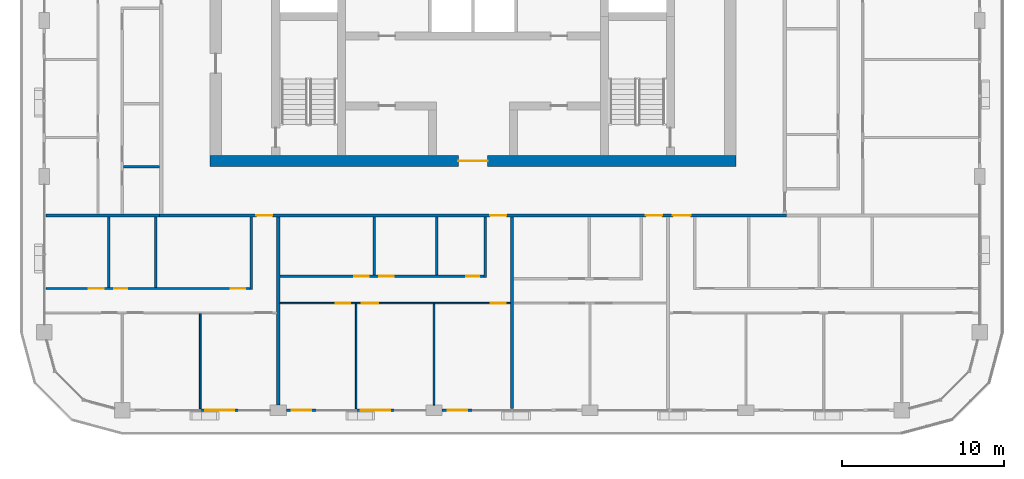
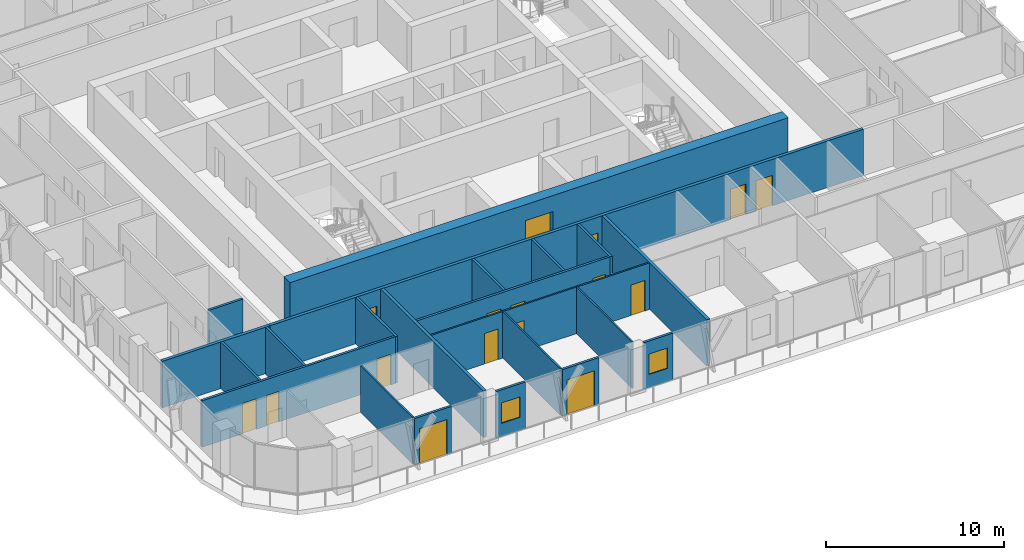
# One storey, part 9 of 21: 22 walls, 16 doors, 2 windows, 18 openings.
"""IFC4 building model written with IfcOpenShell, lengths in metres."""

from ifc_helpers import new_model, si_unit, direction, frame, frame_2d, origin, place, context, subcontext, project, spatial, rectangle, extrude, material, layer, layer_set, type_object, element, fill, save


model = new_model("IFC4")

# Units and contexts
model_context = context("Model", 3, precision=1e-05, world=origin(), true_north=direction((0.0, 1.0)))
body_context = subcontext(model_context, "Body", "Model", "MODEL_VIEW")
ifc_project = project(units=[si_unit("LENGTHUNIT", "METRE"), si_unit("AREAUNIT", "SQUARE_METRE"), si_unit("VOLUMEUNIT", "CUBIC_METRE"), si_unit("PLANEANGLEUNIT", "RADIAN"), si_unit("MASSUNIT", "GRAM", prefix="KILO")], contexts=[model_context])

# Site, building, storey
site_placement = place(None, origin())
site = spatial("IfcSite", under=ifc_project, at=site_placement, CompositionType="ELEMENT")
building_placement = place(site_placement, origin())
building = spatial("IfcBuilding", under=site, at=building_placement, Name="Madar Terraces", CompositionType="ELEMENT")
storey_placement = place(building_placement, frame((0.0, 0.0, 185.89990234375)))
storey = spatial("IfcBuildingStorey", under=building, at=storey_placement, Name="L48", CompositionType="ELEMENT", Elevation=185.89990234375)

# Wall, opening, door
ifc_material_1 = material(Name="Concrete C60/75", Category="concrete")
ifc_layer_1 = layer(ifc_material_1, 0.699951171875)
ifc_layer_set_1 = layer_set([ifc_layer_1], Name="Concrete C60/75 (CRW4 RC wall 700)")
wall_type_1 = type_object("IfcWallType", Name="CRW4 RC wall 700", PredefinedType="SHEAR", material=ifc_layer_set_1)
wall_1_placement = place(storey_placement, frame((15.0, 15.35009765625, 0.0), z_axis=(0.0, 0.0, 1.0), x_axis=(1.0, 0.0, 0.0)))
wall_1 = element("IfcWall", 1, at=wall_1_placement, inside=storey, type_object=wall_type_1, Name="CORE OUTER WALL", PredefinedType="SHEAR", context=body_context, shape_type="SweptSolid", body=[
    extrude(rectangle(XDim=32.39990234375, YDim=0.699951171875, at=frame_2d((16.199951171875, 0.0))), origin(), (0.0, 0.0, 1.0), 3.2001953125),
])
opening_1_placement = place(wall_1_placement, frame((15.300048828125, 0.0, 0.0)))
opening_1 = element("IfcOpeningElement", 2, at=opening_1_placement, cuts=wall_1, Name="Opening KD1", PredefinedType="OPENING", context=body_context, shape_type="SweptSolid", body=[
    extrude(rectangle(XDim=1.800048828125, YDim=2.10009765625, at=frame_2d((0.89990234375, 1.050048828125))), frame((0.0, 0.35986328125, 0.0), z_axis=(0.0, -1.0, 0.0), x_axis=(1.0, 0.0, 0.0)), (0.0, 0.0, 1.0), 0.719970703125),
])
ifc_material_2 = material(Name="Steel door leaf", Category="steel")
door_type_1 = type_object("IfcDoorType", Name="Lobby door pair 1800 x 2100", OperationType="DOUBLE_DOOR_SINGLE_SWING", PredefinedType="DOOR", material=ifc_material_2)
door_1_placement = place(opening_1_placement, frame((1.800048828125, 0.0, 0.0), z_axis=(0.0, 0.0, 1.0), x_axis=(-1.0, 0.0, 0.0)))
door_1 = element("IfcDoor", 3, at=door_1_placement, inside=storey, type_object=door_type_1, Name="LIFT LOBBY DOOR", OperationType="DOUBLE_DOOR_SINGLE_SWING", OverallHeight=2.10009765625, OverallWidth=1.800048828125, PredefinedType="DOOR", context=body_context, shape_type="SweptSolid", body=[
    extrude(rectangle(XDim=1.800048828125, YDim=2.10009765625, at=frame_2d((0.89990234375, 1.050048828125))), frame((0.0, 0.02490234375, 0.0), z_axis=(0.0, -1.0, 0.0), x_axis=(1.0, 0.0, 0.0)), (0.0, 0.0, 1.0), 0.050048828125),
])
fill(opening_1, door_1)

ifc_material_3 = material(Name="Aluminium composite panel, black, over insulated backing", Category="aluminium")
ifc_layer_2 = layer(ifc_material_3, 0.14990234375)
ifc_layer_set_2 = layer_set([ifc_layer_2], Name="Facade bay panel 150")
wall_type_2 = type_object("IfcWallType", Name="Facade bay panel 150", PredefinedType="SOLIDWALL", material=ifc_layer_set_2)
wall_2_placement = place(storey_placement, frame((14.39990234375, 0.0, 0.0), z_axis=(0.0, 0.0, 1.0), x_axis=(1.0, 0.0, 0.0)))
wall_2 = element("IfcWall", 4, at=wall_2_placement, inside=storey, type_object=wall_type_2, Name="Facade bay panel", PredefinedType="SOLIDWALL", context=body_context, shape_type="SweptSolid", body=[
    extrude(rectangle(XDim=2.400146484375, YDim=0.14990234375, at=frame_2d((1.2001953125, 0.0))), origin(), (0.0, 0.0, 1.0), 3.2001953125),
])
opening_2_placement = place(wall_2_placement, frame((0.300048828125, 0.0, 0.0)))
opening_2 = element("IfcOpeningElement", 5, at=opening_2_placement, cuts=wall_2, Name="Opening ED1", PredefinedType="OPENING", context=body_context, shape_type="SweptSolid", body=[
    extrude(rectangle(XDim=1.800048828125, YDim=2.39990234375, at=frame_2d((0.89990234375, 1.199951171875))), frame((0.0, 0.0849609375, 0.0), z_axis=(0.0, -1.0, 0.0), x_axis=(1.0, 0.0, 0.0)), (0.0, 0.0, 1.0), 0.169921875),
])
ifc_material_4 = material(Name="Glass, clear, with black aluminium frame", Category="aluminium")
door_type_2 = type_object("IfcDoorType", Name="Balcony and terrace sliding door 1800 x 2400", OperationType="SLIDING_TO_LEFT", PredefinedType="DOOR", material=ifc_material_4)
door_2_placement = place(opening_2_placement, origin())
door_2 = element("IfcDoor", 6, at=door_2_placement, inside=storey, type_object=door_type_2, Name="Balcony door", OperationType="SLIDING_TO_LEFT", OverallHeight=2.39990234375, OverallWidth=1.800048828125, PredefinedType="DOOR", context=body_context, shape_type="SweptSolid", body=[
    extrude(rectangle(XDim=1.800048828125, YDim=2.39990234375, at=frame_2d((0.89990234375, 1.199951171875))), frame((0.0, 0.02490234375, 0.0), z_axis=(0.0, -1.0, 0.0), x_axis=(1.0, 0.0, 0.0)), (0.0, 0.0, 1.0), 0.050048828125),
])
fill(opening_2, door_2)

# Wall, opening, window
wall_3_placement = place(storey_placement, frame((19.699951171875, 0.0, 0.0), z_axis=(0.0, 0.0, 1.0), x_axis=(1.0, 0.0, 0.0)))
wall_3 = element("IfcWall", 7, at=wall_3_placement, inside=storey, type_object=wall_type_2, Name="Facade bay panel", PredefinedType="SOLIDWALL", context=body_context, shape_type="SweptSolid", body=[
    extrude(rectangle(XDim=1.900146484375, YDim=0.14990234375, at=frame_2d((0.9501953125, 0.0))), origin(), (0.0, 0.0, 1.0), 3.2001953125),
])
opening_3_placement = place(wall_3_placement, frame((0.35009765625, 0.0, 0.89990234375)))
opening_3 = element("IfcOpeningElement", 8, at=opening_3_placement, cuts=wall_3, Name="Opening W1", PredefinedType="OPENING", context=body_context, shape_type="SweptSolid", body=[
    extrude(rectangle(XDim=1.199951171875, YDim=1.39990234375, at=frame_2d((0.60009765625, 0.699951171875))), frame((0.0, 0.0849609375, 0.0), z_axis=(0.0, -1.0, 0.0), x_axis=(1.0, 0.0, 0.0)), (0.0, 0.0, 1.0), 0.169921875),
])
ifc_material_5 = material(Name="Glass, clear, with black aluminium frame", Category="aluminium")
window_type = type_object("IfcWindowType", Name="Vent window 1200 x 1400", PartitioningType="SINGLE_PANEL", PredefinedType="WINDOW", material=ifc_material_5)
window_1_placement = place(opening_3_placement, origin())
window_1 = element("IfcWindow", 9, at=window_1_placement, inside=storey, type_object=window_type, Name="Operable vent window", OverallHeight=1.39990234375, OverallWidth=1.199951171875, PartitioningType="SINGLE_PANEL", PredefinedType="WINDOW", context=body_context, shape_type="SweptSolid", body=[
    extrude(rectangle(XDim=1.199951171875, YDim=1.39990234375, at=frame_2d((0.60009765625, 0.699951171875))), frame((0.0, 0.030029296875, 0.0), z_axis=(0.0, -1.0, 0.0), x_axis=(1.0, 0.0, 0.0)), (0.0, 0.0, 1.0), 0.06005859375),
])
fill(opening_3, window_1)

# Wall, opening, door
wall_4_placement = place(storey_placement, frame((24.0, 0.0, 0.0), z_axis=(0.0, 0.0, 1.0), x_axis=(1.0, 0.0, 0.0)))
wall_4 = element("IfcWall", 10, at=wall_4_placement, inside=storey, type_object=wall_type_2, Name="Facade bay panel", PredefinedType="SOLIDWALL", context=body_context, shape_type="SweptSolid", body=[
    extrude(rectangle(XDim=2.39990234375, YDim=0.14990234375, at=frame_2d((1.199951171875, 0.0))), origin(), (0.0, 0.0, 1.0), 3.2001953125),
])
opening_4_placement = place(wall_4_placement, frame((0.300048828125, 0.0, 0.0)))
opening_4 = element("IfcOpeningElement", 11, at=opening_4_placement, cuts=wall_4, Name="Opening ED1", PredefinedType="OPENING", context=body_context, shape_type="SweptSolid", body=[
    extrude(rectangle(XDim=1.800048828125, YDim=2.39990234375, at=frame_2d((0.89990234375, 1.199951171875))), frame((0.0, 0.0849609375, 0.0), z_axis=(0.0, -1.0, 0.0), x_axis=(1.0, 0.0, 0.0)), (0.0, 0.0, 1.0), 0.169921875),
])
door_3_placement = place(opening_4_placement, origin())
door_3 = element("IfcDoor", 12, at=door_3_placement, inside=storey, type_object=door_type_2, Name="Balcony door", OperationType="SLIDING_TO_RIGHT", OverallHeight=2.39990234375, OverallWidth=1.800048828125, PredefinedType="DOOR", context=body_context, shape_type="SweptSolid", body=[
    extrude(rectangle(XDim=1.800048828125, YDim=2.39990234375, at=frame_2d((0.89990234375, 1.199951171875))), frame((0.0, 0.02490234375, 0.0), z_axis=(0.0, -1.0, 0.0), x_axis=(1.0, 0.0, 0.0)), (0.0, 0.0, 1.0), 0.050048828125),
])
fill(opening_4, door_3)

# Wall, opening, window
wall_5_placement = place(storey_placement, frame((29.300048828125, 0.0, 0.0), z_axis=(0.0, 0.0, 1.0), x_axis=(1.0, 0.0, 0.0)))
wall_5 = element("IfcWall", 13, at=wall_5_placement, inside=storey, type_object=wall_type_2, Name="Facade bay panel", PredefinedType="SOLIDWALL", context=body_context, shape_type="SweptSolid", body=[
    extrude(rectangle(XDim=1.89990234375, YDim=0.14990234375, at=frame_2d((0.949951171875, 0.0))), origin(), (0.0, 0.0, 1.0), 3.2001953125),
])
opening_5_placement = place(wall_5_placement, frame((0.35009765625, 0.0, 0.89990234375)))
opening_5 = element("IfcOpeningElement", 14, at=opening_5_placement, cuts=wall_5, Name="Opening W1", PredefinedType="OPENING", context=body_context, shape_type="SweptSolid", body=[
    extrude(rectangle(XDim=1.199951171875, YDim=1.39990234375, at=frame_2d((0.60009765625, 0.699951171875))), frame((0.0, 0.0849609375, 0.0), z_axis=(0.0, -1.0, 0.0), x_axis=(1.0, 0.0, 0.0)), (0.0, 0.0, 1.0), 0.169921875),
])
window_2_placement = place(opening_5_placement, origin())
window_2 = element("IfcWindow", 15, at=window_2_placement, inside=storey, type_object=window_type, Name="Operable vent window", OverallHeight=1.39990234375, OverallWidth=1.199951171875, PartitioningType="SINGLE_PANEL", PredefinedType="WINDOW", context=body_context, shape_type="SweptSolid", body=[
    extrude(rectangle(XDim=1.199951171875, YDim=1.39990234375, at=frame_2d((0.60009765625, 0.699951171875))), frame((0.0, 0.030029296875, 0.0), z_axis=(0.0, -1.0, 0.0), x_axis=(1.0, 0.0, 0.0)), (0.0, 0.0, 1.0), 0.06005859375),
])
fill(opening_5, window_2)

# Walls
ifc_material_6 = material(Name="Gypsum board on steel studs", Category="steel")
ifc_layer_3 = layer(ifc_material_6, 0.10009765625)
ifc_layer_set_3 = layer_set([ifc_layer_3], Name="Flat partition 100")
wall_type_3 = type_object("IfcWallType", Name="Flat partition 100", PredefinedType="PARTITIONING", material=ifc_layer_set_3)
wall_6_placement = place(storey_placement, frame((14.39990234375, 5.949951171875, 0.0), z_axis=(0.0, 0.0, 1.0), x_axis=(0.0, -1.0, 0.0)))
element("IfcWall", 16, at=wall_6_placement, inside=storey, type_object=wall_type_3, Name="Flat partition 100", PredefinedType="PARTITIONING", context=body_context, shape_type="SweptSolid", body=[
    extrude(rectangle(XDim=5.849853515625, YDim=0.10009765625, at=frame_2d((2.9248046875, 0.0))), origin(), (0.0, 0.0, 1.0), 3.2001953125),
])
wall_7_placement = place(storey_placement, frame((28.800048828125, 6.550048828125, 0.0), z_axis=(0.0, 0.0, 1.0), x_axis=(0.0, -1.0, 0.0)))
element("IfcWall", 17, at=wall_7_placement, inside=storey, type_object=wall_type_3, Name="Flat partition 100", PredefinedType="PARTITIONING", context=body_context, shape_type="SweptSolid", body=[
    extrude(rectangle(XDim=6.22509765625, YDim=0.10009765625, at=frame_2d((3.112548828125, 0.0))), origin(), (0.0, 0.0, 1.0), 3.2001953125),
])
wall_8_placement = place(storey_placement, frame((24.0, 6.550048828125, 0.0), z_axis=(0.0, 0.0, 1.0), x_axis=(0.0, -1.0, 0.0)))
element("IfcWall", 18, at=wall_8_placement, inside=storey, type_object=wall_type_3, Name="Flat partition 100", PredefinedType="PARTITIONING", context=body_context, shape_type="SweptSolid", body=[
    extrude(rectangle(XDim=6.449951171875, YDim=0.10009765625, at=frame_2d((3.22509765625, 0.0))), origin(), (0.0, 0.0, 1.0), 3.2001953125),
])

# Wall, openings, doors
wall_9_placement = place(storey_placement, frame((33.5, 6.60009765625, 0.0), z_axis=(0.0, 0.0, 1.0), x_axis=(-1.0, 0.0, 0.0)))
wall_9 = element("IfcWall", 19, at=wall_9_placement, inside=storey, type_object=wall_type_3, Name="Flat partition 100", PredefinedType="PARTITIONING", context=body_context, shape_type="SweptSolid", body=[
    extrude(rectangle(XDim=14.199951171875, YDim=0.10009765625, at=frame_2d((7.10009765625, 0.0))), origin(), (0.0, 0.0, 1.0), 3.2001953125),
])
opening_6_placement = place(wall_9_placement, frame((0.300048828125, 0.0, 0.0)))
opening_6 = element("IfcOpeningElement", 20, at=opening_6_placement, cuts=wall_9, Name="Opening D2", PredefinedType="OPENING", context=body_context, shape_type="SweptSolid", body=[
    extrude(rectangle(XDim=0.89990234375, YDim=2.10009765625, at=frame_2d((0.449951171875, 1.050048828125))), frame((0.0, 0.06005859375, 0.0), z_axis=(0.0, -1.0, 0.0), x_axis=(1.0, 0.0, 0.0)), (0.0, 0.0, 1.0), 0.1201171875),
])
opening_7_placement = place(wall_9_placement, frame((8.14990234375, 0.0, 0.0)))
opening_7 = element("IfcOpeningElement", 21, at=opening_7_placement, cuts=wall_9, Name="Opening D3", PredefinedType="OPENING", context=body_context, shape_type="SweptSolid", body=[
    extrude(rectangle(XDim=1.0, YDim=2.10009765625, at=frame_2d((0.5, 1.050048828125))), frame((0.0, 0.06005859375, 0.0), z_axis=(0.0, -1.0, 0.0), x_axis=(1.0, 0.0, 0.0)), (0.0, 0.0, 1.0), 0.1201171875),
])
opening_8_placement = place(wall_9_placement, frame((9.85009765625, 0.0, 0.0)))
opening_8 = element("IfcOpeningElement", 22, at=opening_8_placement, cuts=wall_9, Name="Opening D2", PredefinedType="OPENING", context=body_context, shape_type="SweptSolid", body=[
    extrude(rectangle(XDim=0.89990234375, YDim=2.10009765625, at=frame_2d((0.449951171875, 1.050048828125))), frame((0.0, 0.06005859375, 0.0), z_axis=(0.0, -1.0, 0.0), x_axis=(1.0, 0.0, 0.0)), (0.0, 0.0, 1.0), 0.1201171875),
])
ifc_material_7 = material(Name="Timber door leaf", Category="wood")
door_type_3 = type_object("IfcDoorType", Name="Flat living room door 1000", OperationType="NOTDEFINED", PredefinedType="DOOR", material=ifc_material_7)
door_4_placement = place(opening_7_placement, origin())
door_4 = element("IfcDoor", 23, at=door_4_placement, inside=storey, type_object=door_type_3, Name="Flat living room door 1000", OperationType="SINGLE_SWING_RIGHT", OverallHeight=2.10009765625, OverallWidth=1.0, PredefinedType="DOOR", context=body_context, shape_type="SweptSolid", body=[
    extrude(rectangle(XDim=1.0, YDim=2.10009765625, at=frame_2d((0.5, 1.050048828125))), frame((0.0, 0.02490234375, 0.0), z_axis=(0.0, -1.0, 0.0), x_axis=(1.0, 0.0, 0.0)), (0.0, 0.0, 1.0), 0.050048828125),
])
fill(opening_7, door_4)
ifc_material_8 = material(Name="Timber door leaf", Category="wood")
door_type_4 = type_object("IfcDoorType", Name="Flat room door 900", OperationType="NOTDEFINED", PredefinedType="DOOR", material=ifc_material_8)
door_5_placement = place(opening_6_placement, origin())
door_5 = element("IfcDoor", 24, at=door_5_placement, inside=storey, type_object=door_type_4, Name="Flat room door 900", OperationType="SINGLE_SWING_LEFT", OverallHeight=2.10009765625, OverallWidth=0.89990234375, PredefinedType="DOOR", context=body_context, shape_type="SweptSolid", body=[
    extrude(rectangle(XDim=0.89990234375, YDim=2.10009765625, at=frame_2d((0.449951171875, 1.050048828125))), frame((0.0, 0.02490234375, 0.0), z_axis=(0.0, -1.0, 0.0), x_axis=(1.0, 0.0, 0.0)), (0.0, 0.0, 1.0), 0.050048828125),
])
fill(opening_6, door_5)
door_6_placement = place(opening_8_placement, origin())
door_6 = element("IfcDoor", 25, at=door_6_placement, inside=storey, type_object=door_type_4, Name="Flat room door 900", OperationType="SINGLE_SWING_LEFT", OverallHeight=2.10009765625, OverallWidth=0.89990234375, PredefinedType="DOOR", context=body_context, shape_type="SweptSolid", body=[
    extrude(rectangle(XDim=0.89990234375, YDim=2.10009765625, at=frame_2d((0.449951171875, 1.050048828125))), frame((0.0, 0.02490234375, 0.0), z_axis=(0.0, -1.0, 0.0), x_axis=(1.0, 0.0, 0.0)), (0.0, 0.0, 1.0), 0.050048828125),
])
fill(opening_8, door_6)

ifc_material_9 = material(Name="Lightweight blockwork", Category="masonry")
ifc_layer_4 = layer(ifc_material_9, 0.199951171875)
ifc_layer_set_4 = layer_set([ifc_layer_4], Name="Flat party and entrance wall 200")
wall_type_4 = type_object("IfcWallType", Name="Flat party and entrance wall 200", PredefinedType="PARTITIONING", material=ifc_layer_set_4)
wall_10_placement = place(storey_placement, frame((50.5, 12.0, 0.0), z_axis=(0.0, 0.0, 1.0), x_axis=(-1.0, 0.0, 0.0)))
wall_10 = element("IfcWall", 26, at=wall_10_placement, inside=storey, type_object=wall_type_4, Name="Flat party and entrance wall 200", PredefinedType="PARTITIONING", context=body_context, shape_type="SweptSolid", body=[
    extrude(rectangle(XDim=38.60009765625, YDim=0.199951171875, at=frame_2d((19.300048828125, 0.0))), origin(), (0.0, 0.0, 1.0), 3.2001953125),
])
opening_9_placement = place(wall_10_placement, frame((31.64990234375, 0.0, 0.0)))
opening_9 = element("IfcOpeningElement", 27, at=opening_9_placement, cuts=wall_10, Name="Opening D1", PredefinedType="OPENING", context=body_context, shape_type="SweptSolid", body=[
    extrude(rectangle(XDim=1.0, YDim=2.10009765625, at=frame_2d((0.5, 1.050048828125))), frame((0.0, 0.10986328125, 0.0), z_axis=(0.0, -1.0, 0.0), x_axis=(1.0, 0.0, 0.0)), (0.0, 0.0, 1.0), 0.219970703125),
])
opening_10_placement = place(wall_10_placement, frame((17.25, 0.0, 0.0)))
opening_10 = element("IfcOpeningElement", 28, at=opening_10_placement, cuts=wall_10, Name="Opening D1", PredefinedType="OPENING", context=body_context, shape_type="SweptSolid", body=[
    extrude(rectangle(XDim=1.0, YDim=2.10009765625, at=frame_2d((0.5, 1.050048828125))), frame((0.0, 0.10986328125, 0.0), z_axis=(0.0, -1.0, 0.0), x_axis=(1.0, 0.0, 0.0)), (0.0, 0.0, 1.0), 0.219970703125),
])
opening_11_placement = place(wall_10_placement, frame((7.64990234375, 0.0, 0.0)))
opening_11 = element("IfcOpeningElement", 29, at=opening_11_placement, cuts=wall_10, Name="Opening D1", PredefinedType="OPENING", context=body_context, shape_type="SweptSolid", body=[
    extrude(rectangle(XDim=1.0, YDim=2.10009765625, at=frame_2d((0.5, 1.050048828125))), frame((0.0, 0.10986328125, 0.0), z_axis=(0.0, -1.0, 0.0), x_axis=(1.0, 0.0, 0.0)), (0.0, 0.0, 1.0), 0.219970703125),
])
opening_12_placement = place(wall_10_placement, frame((5.89990234375, 0.0, 0.0)))
opening_12 = element("IfcOpeningElement", 30, at=opening_12_placement, cuts=wall_10, Name="Opening D6", PredefinedType="OPENING", context=body_context, shape_type="SweptSolid", body=[
    extrude(rectangle(XDim=1.10009765625, YDim=2.10009765625, at=frame_2d((0.550048828125, 1.050048828125))), frame((0.0, 0.10986328125, 0.0), z_axis=(0.0, -1.0, 0.0), x_axis=(1.0, 0.0, 0.0)), (0.0, 0.0, 1.0), 0.219970703125),
])
ifc_material_10 = material(Name="Timber fire door leaf", Category="wood")
door_type_5 = type_object("IfcDoorType", Name="Flat entrance door 1000 FD30S", OperationType="NOTDEFINED", PredefinedType="DOOR", material=ifc_material_10)
door_7_placement = place(opening_9_placement, origin())
door_7 = element("IfcDoor", 31, at=door_7_placement, inside=storey, type_object=door_type_5, Name="Flat entrance door 1000 FD30S", OperationType="SINGLE_SWING_LEFT", OverallHeight=2.10009765625, OverallWidth=1.0, PredefinedType="DOOR", context=body_context, shape_type="SweptSolid", body=[
    extrude(rectangle(XDim=1.0, YDim=2.10009765625, at=frame_2d((0.5, 1.050048828125))), frame((0.0, 0.02490234375, 0.0), z_axis=(0.0, -1.0, 0.0), x_axis=(1.0, 0.0, 0.0)), (0.0, 0.0, 1.0), 0.050048828125),
])
fill(opening_9, door_7)
door_8_placement = place(opening_10_placement, origin())
door_8 = element("IfcDoor", 32, at=door_8_placement, inside=storey, type_object=door_type_5, Name="Flat entrance door 1000 FD30S", OperationType="SINGLE_SWING_LEFT", OverallHeight=2.10009765625, OverallWidth=1.0, PredefinedType="DOOR", context=body_context, shape_type="SweptSolid", body=[
    extrude(rectangle(XDim=1.0, YDim=2.10009765625, at=frame_2d((0.5, 1.050048828125))), frame((0.0, 0.02490234375, 0.0), z_axis=(0.0, -1.0, 0.0), x_axis=(1.0, 0.0, 0.0)), (0.0, 0.0, 1.0), 0.050048828125),
])
fill(opening_10, door_8)
door_9_placement = place(opening_11_placement, origin())
door_9 = element("IfcDoor", 33, at=door_9_placement, inside=storey, type_object=door_type_5, Name="Flat entrance door 1000 FD30S", OperationType="SINGLE_SWING_LEFT", OverallHeight=2.10009765625, OverallWidth=1.0, PredefinedType="DOOR", context=body_context, shape_type="SweptSolid", body=[
    extrude(rectangle(XDim=1.0, YDim=2.10009765625, at=frame_2d((0.5, 1.050048828125))), frame((0.0, 0.02490234375, 0.0), z_axis=(0.0, -1.0, 0.0), x_axis=(1.0, 0.0, 0.0)), (0.0, 0.0, 1.0), 0.050048828125),
])
fill(opening_11, door_9)
ifc_material_11 = material(Name="Timber fire door leaf", Category="wood")
door_type_6 = type_object("IfcDoorType", Name="Flat entrance door 1100 FD30S", OperationType="NOTDEFINED", PredefinedType="DOOR", material=ifc_material_11)
door_10_placement = place(opening_12_placement, origin())
door_10 = element("IfcDoor", 34, at=door_10_placement, inside=storey, type_object=door_type_6, Name="Flat entrance door 1100 FD30S", OperationType="SINGLE_SWING_RIGHT", OverallHeight=2.10009765625, OverallWidth=1.10009765625, PredefinedType="DOOR", context=body_context, shape_type="SweptSolid", body=[
    extrude(rectangle(XDim=1.10009765625, YDim=2.10009765625, at=frame_2d((0.550048828125, 1.050048828125))), frame((0.0, 0.02490234375, 0.0), z_axis=(0.0, -1.0, 0.0), x_axis=(1.0, 0.0, 0.0)), (0.0, 0.0, 1.0), 0.050048828125),
])
fill(opening_12, door_10)

# Walls
wall_11_placement = place(storey_placement, frame((19.199951171875, 11.89990234375, 0.0), z_axis=(0.0, 0.0, 1.0), x_axis=(0.0, -1.0, 0.0)))
element("IfcWall", 35, at=wall_11_placement, inside=storey, type_object=wall_type_4, Name="Flat party and entrance wall 200", PredefinedType="PARTITIONING", context=body_context, shape_type="SweptSolid", body=[
    extrude(rectangle(XDim=11.574951171875, YDim=0.199951171875, at=frame_2d((5.78759765625, 0.0))), origin(), (0.0, 0.0, 1.0), 3.2001953125),
])
wall_12_placement = place(storey_placement, frame((4.89990234375, 12.0, 0.0), z_axis=(0.0, 0.0, 1.0), x_axis=(1.0, 0.0, 0.0)))
element("IfcWall", 36, at=wall_12_placement, inside=storey, type_object=wall_type_4, Name="Flat party and entrance wall 200", PredefinedType="PARTITIONING", context=body_context, shape_type="SweptSolid", body=[
    extrude(rectangle(XDim=7.0, YDim=0.199951171875, at=frame_2d((3.5, 0.0))), origin(), (0.0, 0.0, 1.0), 3.2001953125),
])
wall_13_placement = place(storey_placement, frame((33.60009765625, 11.89990234375, 0.0), z_axis=(0.0, 0.0, 1.0), x_axis=(0.0, -1.0, 0.0)))
element("IfcWall", 37, at=wall_13_placement, inside=storey, type_object=wall_type_4, Name="Flat party and entrance wall 200", PredefinedType="PARTITIONING", context=body_context, shape_type="SweptSolid", body=[
    extrude(rectangle(XDim=11.7998046875, YDim=0.199951171875, at=frame_2d((5.89990234375, 0.0))), origin(), (0.0, 0.0, 1.0), 3.2001953125),
])
ifc_material_12 = material(Name="Lightweight blockwork", Category="masonry")
ifc_layer_5 = layer(ifc_material_12, 0.14990234375)
ifc_layer_set_5 = layer_set([ifc_layer_5], Name="Flat wet-room partition 150")
wall_type_5 = type_object("IfcWallType", Name="Flat wet-room partition 150", PredefinedType="PARTITIONING", material=ifc_layer_set_5)
for number, where, z_axis, x_axis, name in (
    (38, (11.671142578125, 11.89990234375, 0.0), (0.0, 0.0, 1.0), (0.0, -1.0, 0.0), "Flat wet-room partition 150"),
    (39, (8.769287109375, 11.89990234375, 0.0), (0.0, 0.0, 1.0), (0.0, -1.0, 0.0), "Flat wet-room partition 150"),
):
    element("IfcWall", number, at=place(storey_placement, frame(where, z_axis=z_axis, x_axis=x_axis)), inside=storey, type_object=wall_type_5, Name=name, PredefinedType="PARTITIONING", context=body_context, shape_type="SweptSolid", body=[
        extrude(rectangle(XDim=4.324951171875, YDim=0.14990234375, at=frame_2d((2.16259765625, 0.0))), origin(), (0.0, 0.0, 1.0), 3.2001953125),
    ])
wall_14_placement = place(storey_placement, frame((17.550048828125, 11.89990234375, 0.0), z_axis=(0.0, 0.0, 1.0), x_axis=(0.0, -1.0, 0.0)))
element("IfcWall", 40, at=wall_14_placement, inside=storey, type_object=wall_type_5, Name="Flat wet-room partition 150", PredefinedType="PARTITIONING", context=body_context, shape_type="SweptSolid", body=[
    extrude(rectangle(XDim=4.474853515625, YDim=0.14990234375, at=frame_2d((2.2373046875, 0.0))), origin(), (0.0, 0.0, 1.0), 3.2001953125),
])

# Wall, openings, doors
wall_15_placement = place(storey_placement, frame((4.89990234375, 7.5, 0.0), z_axis=(0.0, 0.0, 1.0), x_axis=(1.0, 0.0, 0.0)))
wall_15 = element("IfcWall", 41, at=wall_15_placement, inside=storey, type_object=wall_type_5, Name="Flat wet-room partition 150", PredefinedType="PARTITIONING", context=body_context, shape_type="SweptSolid", body=[
    extrude(rectangle(XDim=12.5751953125, YDim=0.14990234375, at=frame_2d((6.28759765625, 0.0))), origin(), (0.0, 0.0, 1.0), 3.2001953125),
])
opening_13_placement = place(wall_15_placement, frame((11.375, 0.0, 0.0)))
opening_13 = element("IfcOpeningElement", 42, at=opening_13_placement, cuts=wall_15, Name="Opening D2", PredefinedType="OPENING", context=body_context, shape_type="SweptSolid", body=[
    extrude(rectangle(XDim=0.89990234375, YDim=2.10009765625, at=frame_2d((0.449951171875, 1.050048828125))), frame((0.0, 0.0849609375, 0.0), z_axis=(0.0, -1.0, 0.0), x_axis=(1.0, 0.0, 0.0)), (0.0, 0.0, 1.0), 0.169921875),
])
opening_14_placement = place(wall_15_placement, frame((4.1943359375, 0.0, 0.0)))
opening_14 = element("IfcOpeningElement", 43, at=opening_14_placement, cuts=wall_15, Name="Opening D4", PredefinedType="OPENING", context=body_context, shape_type="SweptSolid", body=[
    extrude(rectangle(XDim=0.800048828125, YDim=2.10009765625, at=frame_2d((0.39990234375, 1.050048828125))), frame((0.0, 0.0849609375, 0.0), z_axis=(0.0, -1.0, 0.0), x_axis=(1.0, 0.0, 0.0)), (0.0, 0.0, 1.0), 0.169921875),
])
opening_15_placement = place(wall_15_placement, frame((2.644287109375, 0.0, 0.0)))
opening_15 = element("IfcOpeningElement", 44, at=opening_15_placement, cuts=wall_15, Name="Opening D5", PredefinedType="OPENING", context=body_context, shape_type="SweptSolid", body=[
    extrude(rectangle(XDim=0.89990234375, YDim=2.10009765625, at=frame_2d((0.449951171875, 1.050048828125))), frame((0.0, 0.0849609375, 0.0), z_axis=(0.0, -1.0, 0.0), x_axis=(1.0, 0.0, 0.0)), (0.0, 0.0, 1.0), 0.169921875),
])
ifc_material_13 = material(Name="Timber door leaf", Category="wood")
door_type_7 = type_object("IfcDoorType", Name="Flat accessible bathroom door 900", OperationType="NOTDEFINED", PredefinedType="DOOR", material=ifc_material_13)
door_11_placement = place(opening_15_placement, origin())
door_11 = element("IfcDoor", 45, at=door_11_placement, inside=storey, type_object=door_type_7, Name="Flat accessible bathroom door 900", OperationType="SINGLE_SWING_RIGHT", OverallHeight=2.10009765625, OverallWidth=0.89990234375, PredefinedType="DOOR", context=body_context, shape_type="SweptSolid", body=[
    extrude(rectangle(XDim=0.89990234375, YDim=2.10009765625, at=frame_2d((0.449951171875, 1.050048828125))), frame((0.0, 0.02490234375, 0.0), z_axis=(0.0, -1.0, 0.0), x_axis=(1.0, 0.0, 0.0)), (0.0, 0.0, 1.0), 0.050048828125),
])
fill(opening_15, door_11)
ifc_material_14 = material(Name="Timber door leaf", Category="wood")
door_type_8 = type_object("IfcDoorType", Name="Flat bathroom door 800", OperationType="NOTDEFINED", PredefinedType="DOOR", material=ifc_material_14)
door_12_placement = place(opening_14_placement, origin())
door_12 = element("IfcDoor", 46, at=door_12_placement, inside=storey, type_object=door_type_8, Name="Flat bathroom door 800", OperationType="SINGLE_SWING_LEFT", OverallHeight=2.10009765625, OverallWidth=0.800048828125, PredefinedType="DOOR", context=body_context, shape_type="SweptSolid", body=[
    extrude(rectangle(XDim=0.800048828125, YDim=2.10009765625, at=frame_2d((0.39990234375, 1.050048828125))), frame((0.0, 0.02490234375, 0.0), z_axis=(0.0, -1.0, 0.0), x_axis=(1.0, 0.0, 0.0)), (0.0, 0.0, 1.0), 0.050048828125),
])
fill(opening_14, door_12)
door_13_placement = place(opening_13_placement, origin())
door_13 = element("IfcDoor", 47, at=door_13_placement, inside=storey, type_object=door_type_4, Name="Flat room door 900", OperationType="SINGLE_SWING_RIGHT", OverallHeight=2.10009765625, OverallWidth=0.89990234375, PredefinedType="DOOR", context=body_context, shape_type="SweptSolid", body=[
    extrude(rectangle(XDim=0.89990234375, YDim=2.10009765625, at=frame_2d((0.449951171875, 1.050048828125))), frame((0.0, 0.02490234375, 0.0), z_axis=(0.0, -1.0, 0.0), x_axis=(1.0, 0.0, 0.0)), (0.0, 0.0, 1.0), 0.050048828125),
])
fill(opening_13, door_13)

# Walls
for number, where, z_axis, x_axis, name in (
    (48, (28.97314453125, 11.89990234375, 0.0), (0.0, 0.0, 1.0), (0.0, -1.0, 0.0), "Flat wet-room partition 150"),
    (49, (25.10400390625, 11.89990234375, 0.0), (0.0, 0.0, 1.0), (0.0, -1.0, 0.0), "Flat wet-room partition 150"),
):
    element("IfcWall", number, at=place(storey_placement, frame(where, z_axis=z_axis, x_axis=x_axis)), inside=storey, type_object=wall_type_5, Name=name, PredefinedType="PARTITIONING", context=body_context, shape_type="SweptSolid", body=[
        extrude(rectangle(XDim=3.574951171875, YDim=0.14990234375, at=frame_2d((1.78759765625, 0.0))), origin(), (0.0, 0.0, 1.0), 3.2001953125),
    ])
wall_16_placement = place(storey_placement, frame((31.949951171875, 11.89990234375, 0.0), z_axis=(0.0, 0.0, 1.0), x_axis=(0.0, -1.0, 0.0)))
element("IfcWall", 50, at=wall_16_placement, inside=storey, type_object=wall_type_5, Name="Flat wet-room partition 150", PredefinedType="PARTITIONING", context=body_context, shape_type="SweptSolid", body=[
    extrude(rectangle(XDim=3.724853515625, YDim=0.14990234375, at=frame_2d((1.8623046875, 0.0))), origin(), (0.0, 0.0, 1.0), 3.2001953125),
])

# Wall, openings, doors
wall_17_placement = place(storey_placement, frame((19.300048828125, 8.25, 0.0), z_axis=(0.0, 0.0, 1.0), x_axis=(1.0, 0.0, 0.0)))
wall_17 = element("IfcWall", 51, at=wall_17_placement, inside=storey, type_object=wall_type_5, Name="Flat wet-room partition 150", PredefinedType="PARTITIONING", context=body_context, shape_type="SweptSolid", body=[
    extrude(rectangle(XDim=12.574951171875, YDim=0.14990234375, at=frame_2d((6.28759765625, 0.0))), origin(), (0.0, 0.0, 1.0), 3.2001953125),
])
opening_16_placement = place(wall_17_placement, frame((11.47509765625, 0.0, 0.0)))
opening_16 = element("IfcOpeningElement", 52, at=opening_16_placement, cuts=wall_17, Name="Opening D4", PredefinedType="OPENING", context=body_context, shape_type="SweptSolid", body=[
    extrude(rectangle(XDim=0.800048828125, YDim=2.10009765625, at=frame_2d((0.39990234375, 1.050048828125))), frame((0.0, 0.0849609375, 0.0), z_axis=(0.0, -1.0, 0.0), x_axis=(1.0, 0.0, 0.0)), (0.0, 0.0, 1.0), 0.169921875),
])
opening_17_placement = place(wall_17_placement, frame((6.12890625, 0.0, 0.0)))
opening_17 = element("IfcOpeningElement", 53, at=opening_17_placement, cuts=wall_17, Name="Opening D5", PredefinedType="OPENING", context=body_context, shape_type="SweptSolid", body=[
    extrude(rectangle(XDim=0.89990234375, YDim=2.10009765625, at=frame_2d((0.449951171875, 1.050048828125))), frame((0.0, 0.0849609375, 0.0), z_axis=(0.0, -1.0, 0.0), x_axis=(1.0, 0.0, 0.0)), (0.0, 0.0, 1.0), 0.169921875),
])
opening_18_placement = place(wall_17_placement, frame((4.578857421875, 0.0, 0.0)))
opening_18 = element("IfcOpeningElement", 54, at=opening_18_placement, cuts=wall_17, Name="Opening D2", PredefinedType="OPENING", context=body_context, shape_type="SweptSolid", body=[
    extrude(rectangle(XDim=0.89990234375, YDim=2.10009765625, at=frame_2d((0.449951171875, 1.050048828125))), frame((0.0, 0.0849609375, 0.0), z_axis=(0.0, -1.0, 0.0), x_axis=(1.0, 0.0, 0.0)), (0.0, 0.0, 1.0), 0.169921875),
])
door_14_placement = place(opening_17_placement, origin())
door_14 = element("IfcDoor", 55, at=door_14_placement, inside=storey, type_object=door_type_7, Name="Flat accessible bathroom door 900", OperationType="SINGLE_SWING_LEFT", OverallHeight=2.10009765625, OverallWidth=0.89990234375, PredefinedType="DOOR", context=body_context, shape_type="SweptSolid", body=[
    extrude(rectangle(XDim=0.89990234375, YDim=2.10009765625, at=frame_2d((0.449951171875, 1.050048828125))), frame((0.0, 0.02490234375, 0.0), z_axis=(0.0, -1.0, 0.0), x_axis=(1.0, 0.0, 0.0)), (0.0, 0.0, 1.0), 0.050048828125),
])
fill(opening_17, door_14)
door_15_placement = place(opening_16_placement, origin())
door_15 = element("IfcDoor", 56, at=door_15_placement, inside=storey, type_object=door_type_8, Name="Flat bathroom door 800", OperationType="SINGLE_SWING_RIGHT", OverallHeight=2.10009765625, OverallWidth=0.800048828125, PredefinedType="DOOR", context=body_context, shape_type="SweptSolid", body=[
    extrude(rectangle(XDim=0.800048828125, YDim=2.10009765625, at=frame_2d((0.39990234375, 1.050048828125))), frame((0.0, 0.02490234375, 0.0), z_axis=(0.0, -1.0, 0.0), x_axis=(1.0, 0.0, 0.0)), (0.0, 0.0, 1.0), 0.050048828125),
])
fill(opening_16, door_15)
door_16_placement = place(opening_18_placement, origin())
door_16 = element("IfcDoor", 57, at=door_16_placement, inside=storey, type_object=door_type_4, Name="Flat room door 900", OperationType="SINGLE_SWING_RIGHT", OverallHeight=2.10009765625, OverallWidth=0.89990234375, PredefinedType="DOOR", context=body_context, shape_type="SweptSolid", body=[
    extrude(rectangle(XDim=0.89990234375, YDim=2.10009765625, at=frame_2d((0.449951171875, 1.050048828125))), frame((0.0, 0.02490234375, 0.0), z_axis=(0.0, -1.0, 0.0), x_axis=(1.0, 0.0, 0.0)), (0.0, 0.0, 1.0), 0.050048828125),
])
fill(opening_18, door_16)

# Wall
wall_18_placement = place(storey_placement, frame((11.89990234375, 15.001953125, 0.0), z_axis=(0.0, 0.0, 1.0), x_axis=(-1.0, 0.0, 0.0)))
element("IfcWall", 58, at=wall_18_placement, inside=storey, type_object=wall_type_5, Name="Flat wet-room partition 150", PredefinedType="PARTITIONING", context=body_context, shape_type="SweptSolid", body=[
    extrude(rectangle(XDim=2.224853515625, YDim=0.14990234375, at=frame_2d((1.1123046875, 0.0))), origin(), (0.0, 0.0, 1.0), 3.2001953125),
])

save(model, "model.ifc")
